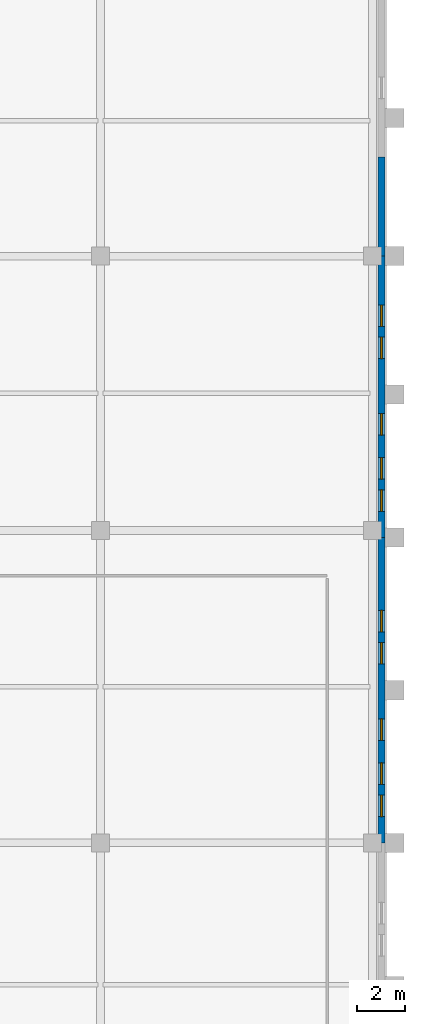
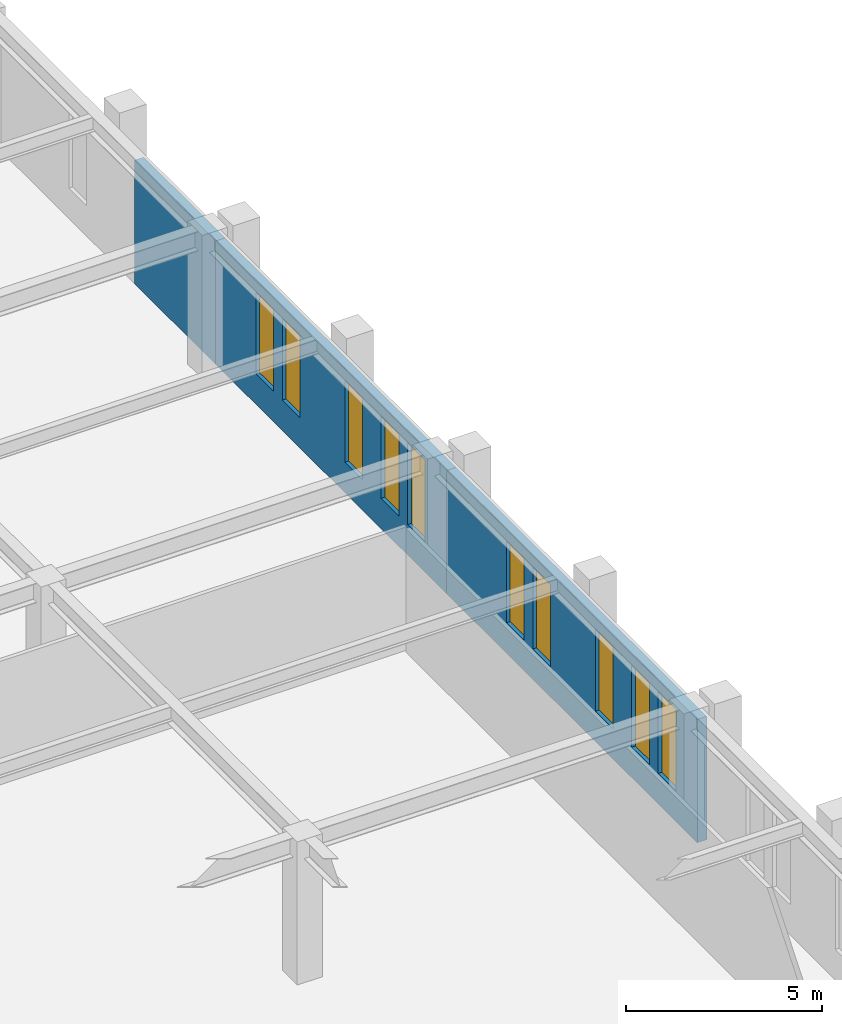
# One storey, part 65 of 79: 10 windows, 3 walls, 10 openings.
"""IFC4 building model written with IfcOpenShell, lengths in metres."""

from ifc_helpers import new_model, si_unit, derived_unit, direction, frame, frame_2d, origin, place, context, subcontext, project, spatial, rectangle, extrude, material, layer, layer_set, type_object, element, fill, save


model = new_model("IFC4")

# Units and contexts
model_context = context("Model", 3, precision=1e-05, world=origin(), true_north=direction((0.0, 1.0)))
body_context = subcontext(model_context, "Body", "Model", "MODEL_VIEW")
ifc_project = project(units=[si_unit("LENGTHUNIT", "METRE"), si_unit("AREAUNIT", "SQUARE_METRE"), si_unit("VOLUMEUNIT", "CUBIC_METRE"), si_unit("PLANEANGLEUNIT", "RADIAN"), si_unit("MASSUNIT", "GRAM", prefix="KILO"), derived_unit("THERMALTRANSMITTANCEUNIT", [(si_unit("MASSUNIT", "GRAM", prefix="KILO"), 1), (si_unit("TIMEUNIT", "SECOND"), -3), (si_unit("THERMODYNAMICTEMPERATUREUNIT", "KELVIN"), -1)])], contexts=[model_context])

# Site, building, storey
site_placement = place(None, origin())
site = spatial("IfcSite", under=ifc_project, at=site_placement, CompositionType="ELEMENT")
building_placement = place(site_placement, origin())
building = spatial("IfcBuilding", under=site, at=building_placement, Name="Valcora Ridge Arena", CompositionType="ELEMENT")
storey_placement = place(building_placement, frame((0.0, 0.0, 16.199951171875)))
storey = spatial("IfcBuildingStorey", under=building, at=storey_placement, Name="L03", CompositionType="ELEMENT", Elevation=16.199951171875)

# Wall, openings, windows
ifc_material_1 = material(Name="Bush-hammered Andean travertine on concrete backup C40/50", Category="masonry")
ifc_layer = layer(ifc_material_1, 0.280029296875, Name="Bush-hammered Andean travertine on concrete backup C40/50")
ifc_layer_set = layer_set([ifc_layer], Name="Bush-hammered Andean travertine on concrete backup C40/50")
wall_type = type_object("IfcWallType", Name="TY-WALL-EW-TRV-28-38", PredefinedType="STANDARD", material=ifc_layer_set)
wall_1_placement = place(storey_placement, frame((191.780029296875, 95.60009765625, 0.0), z_axis=(0.0, 0.0, 1.0), x_axis=(0.0, 1.0, 0.0)))
wall_1 = element("IfcWall", 1, at=wall_1_placement, inside=storey, type_object=wall_type, Name="EW-TRV-28-38 WAL-EW-0209", PredefinedType="STANDARD", context=body_context, shape_type="SweptSolid", body=[
    extrude(rectangle(XDim=12.7998046875, YDim=0.280029296875, at=frame_2d((6.39990234375, 0.0))), origin(), (0.0, 0.0, 1.0), 3.84814453125),
])
opening_1_placement = place(wall_1_placement, frame((1.10009765625, 0.0, 0.949951171875)))
opening_1 = element("IfcOpeningElement", 2, at=opening_1_placement, cuts=wall_1, Name="Opening W-GLAN-90X255", PredefinedType="OPENING", context=body_context, shape_type="SweptSolid", body=[
    extrude(rectangle(XDim=0.89990234375, YDim=2.550048828125, at=frame_2d((0.449951171875, 1.27490234375))), frame((0.0, 0.14990234375, 0.0), z_axis=(0.0, -1.0, 0.0), x_axis=(1.0, 0.0, 0.0)), (0.0, 0.0, 1.0), 0.300048828125),
])
opening_2_placement = place(wall_1_placement, frame((2.449951171875, 0.0, 0.949951171875)))
opening_2 = element("IfcOpeningElement", 3, at=opening_2_placement, cuts=wall_1, Name="Opening W-GLAN-90X255", PredefinedType="OPENING", context=body_context, shape_type="SweptSolid", body=[
    extrude(rectangle(XDim=0.89990234375, YDim=2.550048828125, at=frame_2d((0.449951171875, 1.27490234375))), frame((0.0, 0.14990234375, 0.0), z_axis=(0.0, -1.0, 0.0), x_axis=(1.0, 0.0, 0.0)), (0.0, 0.0, 1.0), 0.300048828125),
])
opening_3_placement = place(wall_1_placement, frame((4.300048828125, 0.0, 0.949951171875)))
opening_3 = element("IfcOpeningElement", 4, at=opening_3_placement, cuts=wall_1, Name="Opening W-GLAN-90X255", PredefinedType="OPENING", context=body_context, shape_type="SweptSolid", body=[
    extrude(rectangle(XDim=0.89990234375, YDim=2.550048828125, at=frame_2d((0.449951171875, 1.27490234375))), frame((0.0, 0.14990234375, 0.0), z_axis=(0.0, -1.0, 0.0), x_axis=(1.0, 0.0, 0.0)), (0.0, 0.0, 1.0), 0.300048828125),
])
opening_4_placement = place(wall_1_placement, frame((7.5, 0.0, 0.949951171875)))
opening_4 = element("IfcOpeningElement", 5, at=opening_4_placement, cuts=wall_1, Name="Opening W-GLAN-90X255", PredefinedType="OPENING", context=body_context, shape_type="SweptSolid", body=[
    extrude(rectangle(XDim=0.89990234375, YDim=2.550048828125, at=frame_2d((0.449951171875, 1.27490234375))), frame((0.0, 0.14990234375, 0.0), z_axis=(0.0, -1.0, 0.0), x_axis=(1.0, 0.0, 0.0)), (0.0, 0.0, 1.0), 0.300048828125),
])
opening_5_placement = place(wall_1_placement, frame((8.85009765625, 0.0, 0.949951171875)))
opening_5 = element("IfcOpeningElement", 6, at=opening_5_placement, cuts=wall_1, Name="Opening W-GLAN-90X255", PredefinedType="OPENING", context=body_context, shape_type="SweptSolid", body=[
    extrude(rectangle(XDim=0.89990234375, YDim=2.550048828125, at=frame_2d((0.449951171875, 1.27490234375))), frame((0.0, 0.14990234375, 0.0), z_axis=(0.0, -1.0, 0.0), x_axis=(1.0, 0.0, 0.0)), (0.0, 0.0, 1.0), 0.300048828125),
])
ifc_material_2 = material(Name="Low-iron solar-control double glazing SHGC 0.28", Category="glass")
window_type = type_object("IfcWindowType", Name="TY-WINDOW-W-GLAN-90X255", PartitioningType="DOUBLE_PANEL_VERTICAL", PredefinedType="WINDOW", material=ifc_material_2)
window_1_placement = place(opening_1_placement, origin())
window_1 = element("IfcWindow", 7, at=window_1_placement, inside=storey, type_object=window_type, Name="W-GLAN-90X255 WIN-EX-0632", OverallHeight=2.550048828125, OverallWidth=0.89990234375, PartitioningType="DOUBLE_PANEL_VERTICAL", PredefinedType="WINDOW", context=body_context, shape_type="SweptSolid", body=[
    extrude(rectangle(XDim=0.89990234375, YDim=2.550048828125, at=frame_2d((0.449951171875, 1.27490234375))), frame((0.0, 0.030029296875, 0.0), z_axis=(0.0, -1.0, 0.0), x_axis=(1.0, 0.0, 0.0)), (0.0, 0.0, 1.0), 0.06005859375),
])
fill(opening_1, window_1)
window_2_placement = place(opening_2_placement, origin())
window_2 = element("IfcWindow", 8, at=window_2_placement, inside=storey, type_object=window_type, Name="W-GLAN-90X255 WIN-EX-0633", OverallHeight=2.550048828125, OverallWidth=0.89990234375, PartitioningType="DOUBLE_PANEL_VERTICAL", PredefinedType="WINDOW", context=body_context, shape_type="SweptSolid", body=[
    extrude(rectangle(XDim=0.89990234375, YDim=2.550048828125, at=frame_2d((0.449951171875, 1.27490234375))), frame((0.0, 0.030029296875, 0.0), z_axis=(0.0, -1.0, 0.0), x_axis=(1.0, 0.0, 0.0)), (0.0, 0.0, 1.0), 0.06005859375),
])
fill(opening_2, window_2)
window_3_placement = place(opening_3_placement, origin())
window_3 = element("IfcWindow", 9, at=window_3_placement, inside=storey, type_object=window_type, Name="W-GLAN-90X255 WIN-EX-0634", OverallHeight=2.550048828125, OverallWidth=0.89990234375, PartitioningType="DOUBLE_PANEL_VERTICAL", PredefinedType="WINDOW", context=body_context, shape_type="SweptSolid", body=[
    extrude(rectangle(XDim=0.89990234375, YDim=2.550048828125, at=frame_2d((0.449951171875, 1.27490234375))), frame((0.0, 0.030029296875, 0.0), z_axis=(0.0, -1.0, 0.0), x_axis=(1.0, 0.0, 0.0)), (0.0, 0.0, 1.0), 0.06005859375),
])
fill(opening_3, window_3)
window_4_placement = place(opening_4_placement, origin())
window_4 = element("IfcWindow", 10, at=window_4_placement, inside=storey, type_object=window_type, Name="W-GLAN-90X255 WIN-EX-0635", OverallHeight=2.550048828125, OverallWidth=0.89990234375, PartitioningType="DOUBLE_PANEL_VERTICAL", PredefinedType="WINDOW", context=body_context, shape_type="SweptSolid", body=[
    extrude(rectangle(XDim=0.89990234375, YDim=2.550048828125, at=frame_2d((0.449951171875, 1.27490234375))), frame((0.0, 0.030029296875, 0.0), z_axis=(0.0, -1.0, 0.0), x_axis=(1.0, 0.0, 0.0)), (0.0, 0.0, 1.0), 0.06005859375),
])
fill(opening_4, window_4)
window_5_placement = place(opening_5_placement, origin())
window_5 = element("IfcWindow", 11, at=window_5_placement, inside=storey, type_object=window_type, Name="W-GLAN-90X255 WIN-EX-0636", OverallHeight=2.550048828125, OverallWidth=0.89990234375, PartitioningType="DOUBLE_PANEL_VERTICAL", PredefinedType="WINDOW", context=body_context, shape_type="SweptSolid", body=[
    extrude(rectangle(XDim=0.89990234375, YDim=2.550048828125, at=frame_2d((0.449951171875, 1.27490234375))), frame((0.0, 0.030029296875, 0.0), z_axis=(0.0, -1.0, 0.0), x_axis=(1.0, 0.0, 0.0)), (0.0, 0.0, 1.0), 0.06005859375),
])
fill(opening_5, window_5)

wall_2_placement = place(storey_placement, frame((191.780029296875, 108.39990234375, 0.0), z_axis=(0.0, 0.0, 1.0), x_axis=(0.0, 1.0, 0.0)))
wall_2 = element("IfcWall", 12, at=wall_2_placement, inside=storey, type_object=wall_type, Name="EW-TRV-28-38 WAL-EW-0210", PredefinedType="STANDARD", context=body_context, shape_type="SweptSolid", body=[
    extrude(rectangle(XDim=11.800048828125, YDim=0.280029296875, at=frame_2d((5.89990234375, 0.0))), origin(), (0.0, 0.0, 1.0), 3.84814453125),
])
opening_6_placement = place(wall_2_placement, frame((1.10009765625, 0.0, 0.949951171875)))
opening_6 = element("IfcOpeningElement", 13, at=opening_6_placement, cuts=wall_2, Name="Opening W-GLAN-90X255", PredefinedType="OPENING", context=body_context, shape_type="SweptSolid", body=[
    extrude(rectangle(XDim=0.89990234375, YDim=2.550048828125, at=frame_2d((0.449951171875, 1.27490234375))), frame((0.0, 0.14990234375, 0.0), z_axis=(0.0, -1.0, 0.0), x_axis=(1.0, 0.0, 0.0)), (0.0, 0.0, 1.0), 0.300048828125),
])
opening_7_placement = place(wall_2_placement, frame((2.449951171875, 0.0, 0.949951171875)))
opening_7 = element("IfcOpeningElement", 14, at=opening_7_placement, cuts=wall_2, Name="Opening W-GLAN-90X255", PredefinedType="OPENING", context=body_context, shape_type="SweptSolid", body=[
    extrude(rectangle(XDim=0.89990234375, YDim=2.550048828125, at=frame_2d((0.449951171875, 1.27490234375))), frame((0.0, 0.14990234375, 0.0), z_axis=(0.0, -1.0, 0.0), x_axis=(1.0, 0.0, 0.0)), (0.0, 0.0, 1.0), 0.300048828125),
])
opening_8_placement = place(wall_2_placement, frame((4.300048828125, 0.0, 0.949951171875)))
opening_8 = element("IfcOpeningElement", 15, at=opening_8_placement, cuts=wall_2, Name="Opening W-GLAN-90X255", PredefinedType="OPENING", context=body_context, shape_type="SweptSolid", body=[
    extrude(rectangle(XDim=0.89990234375, YDim=2.550048828125, at=frame_2d((0.449951171875, 1.27490234375))), frame((0.0, 0.14990234375, 0.0), z_axis=(0.0, -1.0, 0.0), x_axis=(1.0, 0.0, 0.0)), (0.0, 0.0, 1.0), 0.300048828125),
])
opening_9_placement = place(wall_2_placement, frame((7.5, 0.0, 0.949951171875)))
opening_9 = element("IfcOpeningElement", 16, at=opening_9_placement, cuts=wall_2, Name="Opening W-GLAN-90X255", PredefinedType="OPENING", context=body_context, shape_type="SweptSolid", body=[
    extrude(rectangle(XDim=0.89990234375, YDim=2.550048828125, at=frame_2d((0.449951171875, 1.27490234375))), frame((0.0, 0.14990234375, 0.0), z_axis=(0.0, -1.0, 0.0), x_axis=(1.0, 0.0, 0.0)), (0.0, 0.0, 1.0), 0.300048828125),
])
opening_10_placement = place(wall_2_placement, frame((8.85009765625, 0.0, 0.949951171875)))
opening_10 = element("IfcOpeningElement", 17, at=opening_10_placement, cuts=wall_2, Name="Opening W-GLAN-90X255", PredefinedType="OPENING", context=body_context, shape_type="SweptSolid", body=[
    extrude(rectangle(XDim=0.89990234375, YDim=2.550048828125, at=frame_2d((0.449951171875, 1.27490234375))), frame((0.0, 0.14990234375, 0.0), z_axis=(0.0, -1.0, 0.0), x_axis=(1.0, 0.0, 0.0)), (0.0, 0.0, 1.0), 0.300048828125),
])
window_6_placement = place(opening_6_placement, origin())
window_6 = element("IfcWindow", 18, at=window_6_placement, inside=storey, type_object=window_type, Name="W-GLAN-90X255 WIN-EX-0637", OverallHeight=2.550048828125, OverallWidth=0.89990234375, PartitioningType="DOUBLE_PANEL_VERTICAL", PredefinedType="WINDOW", context=body_context, shape_type="SweptSolid", body=[
    extrude(rectangle(XDim=0.89990234375, YDim=2.550048828125, at=frame_2d((0.449951171875, 1.27490234375))), frame((0.0, 0.030029296875, 0.0), z_axis=(0.0, -1.0, 0.0), x_axis=(1.0, 0.0, 0.0)), (0.0, 0.0, 1.0), 0.06005859375),
])
fill(opening_6, window_6)
window_7_placement = place(opening_7_placement, origin())
window_7 = element("IfcWindow", 19, at=window_7_placement, inside=storey, type_object=window_type, Name="W-GLAN-90X255 WIN-EX-0638", OverallHeight=2.550048828125, OverallWidth=0.89990234375, PartitioningType="DOUBLE_PANEL_VERTICAL", PredefinedType="WINDOW", context=body_context, shape_type="SweptSolid", body=[
    extrude(rectangle(XDim=0.89990234375, YDim=2.550048828125, at=frame_2d((0.449951171875, 1.27490234375))), frame((0.0, 0.030029296875, 0.0), z_axis=(0.0, -1.0, 0.0), x_axis=(1.0, 0.0, 0.0)), (0.0, 0.0, 1.0), 0.06005859375),
])
fill(opening_7, window_7)
window_8_placement = place(opening_8_placement, origin())
window_8 = element("IfcWindow", 20, at=window_8_placement, inside=storey, type_object=window_type, Name="W-GLAN-90X255 WIN-EX-0639", OverallHeight=2.550048828125, OverallWidth=0.89990234375, PartitioningType="DOUBLE_PANEL_VERTICAL", PredefinedType="WINDOW", context=body_context, shape_type="SweptSolid", body=[
    extrude(rectangle(XDim=0.89990234375, YDim=2.550048828125, at=frame_2d((0.449951171875, 1.27490234375))), frame((0.0, 0.030029296875, 0.0), z_axis=(0.0, -1.0, 0.0), x_axis=(1.0, 0.0, 0.0)), (0.0, 0.0, 1.0), 0.06005859375),
])
fill(opening_8, window_8)
window_9_placement = place(opening_9_placement, origin())
window_9 = element("IfcWindow", 21, at=window_9_placement, inside=storey, type_object=window_type, Name="W-GLAN-90X255 WIN-EX-0640", OverallHeight=2.550048828125, OverallWidth=0.89990234375, PartitioningType="DOUBLE_PANEL_VERTICAL", PredefinedType="WINDOW", context=body_context, shape_type="SweptSolid", body=[
    extrude(rectangle(XDim=0.89990234375, YDim=2.550048828125, at=frame_2d((0.449951171875, 1.27490234375))), frame((0.0, 0.030029296875, 0.0), z_axis=(0.0, -1.0, 0.0), x_axis=(1.0, 0.0, 0.0)), (0.0, 0.0, 1.0), 0.06005859375),
])
fill(opening_9, window_9)
window_10_placement = place(opening_10_placement, origin())
window_10 = element("IfcWindow", 22, at=window_10_placement, inside=storey, type_object=window_type, Name="W-GLAN-90X255 WIN-EX-0641", OverallHeight=2.550048828125, OverallWidth=0.89990234375, PartitioningType="DOUBLE_PANEL_VERTICAL", PredefinedType="WINDOW", context=body_context, shape_type="SweptSolid", body=[
    extrude(rectangle(XDim=0.89990234375, YDim=2.550048828125, at=frame_2d((0.449951171875, 1.27490234375))), frame((0.0, 0.030029296875, 0.0), z_axis=(0.0, -1.0, 0.0), x_axis=(1.0, 0.0, 0.0)), (0.0, 0.0, 1.0), 0.06005859375),
])
fill(opening_10, window_10)

# Wall
wall_3_placement = place(storey_placement, frame((191.780029296875, 120.199951171875, 0.0), z_axis=(0.0, 0.0, 1.0), x_axis=(0.0, 1.0, 0.0)))
element("IfcWall", 23, at=wall_3_placement, inside=storey, type_object=wall_type, Name="EW-TRV-28-38 WAL-EW-0211", PredefinedType="STANDARD", context=body_context, shape_type="SweptSolid", body=[
    extrude(rectangle(XDim=4.150146484375, YDim=0.280029296875, at=frame_2d((2.0751953125, 0.0))), origin(), (0.0, 0.0, 1.0), 3.84814453125),
])

save(model, "model.ifc")
